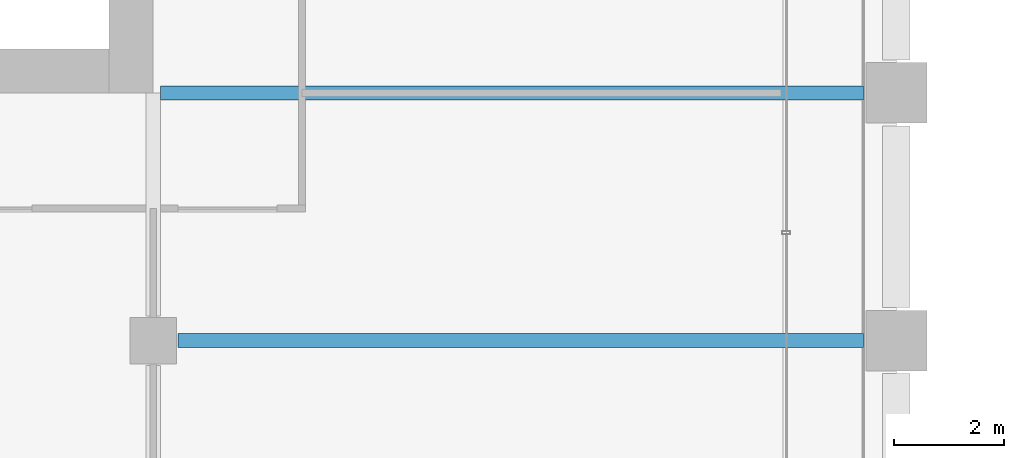
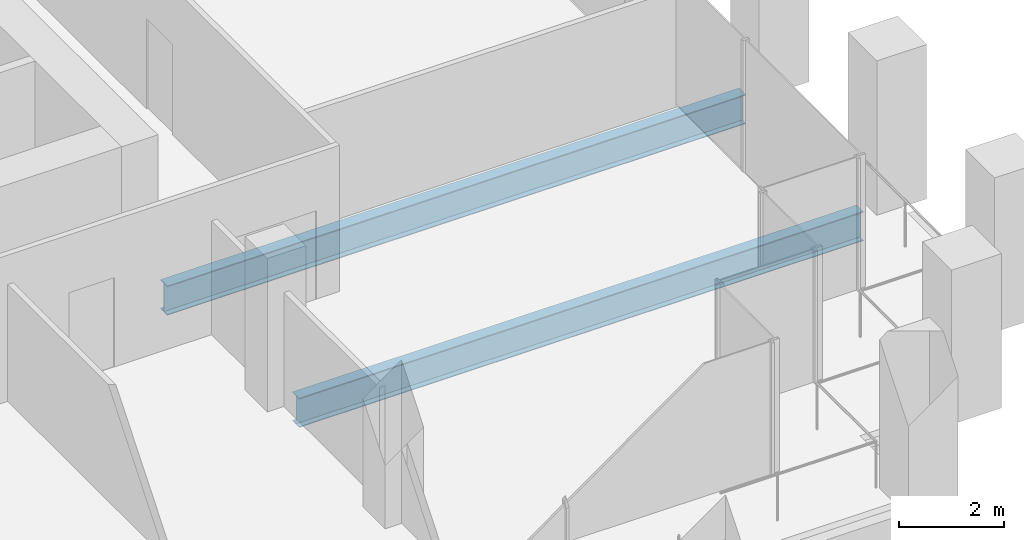
# One storey, part 17 of 55: 2 beams.
"""IFC4 building model written with IfcOpenShell, lengths in metres."""

from ifc_helpers import new_model, si_unit, direction, frame, origin, origin_2d, place, context, subcontext, project, spatial, i_section, extrude, material, material_profile, profile_set, type_object, element, save


model = new_model("IFC4")

# Units and contexts
model_context = context("Model", 3, precision=1e-05, world=origin(), true_north=direction((0.0, 1.0)))
body_context = subcontext(model_context, "Body", "Model", "MODEL_VIEW")
ifc_project = project(units=[si_unit("LENGTHUNIT", "METRE"), si_unit("AREAUNIT", "SQUARE_METRE"), si_unit("VOLUMEUNIT", "CUBIC_METRE"), si_unit("PLANEANGLEUNIT", "RADIAN"), si_unit("MASSUNIT", "GRAM", prefix="KILO")], contexts=[model_context])

# Site, building, storey
site_placement = place(None, origin())
site = spatial("IfcSite", under=ifc_project, at=site_placement, CompositionType="ELEMENT")
building_placement = place(site_placement, origin())
building = spatial("IfcBuilding", under=site, at=building_placement, Name="Altepetl Exchange Towers", CompositionType="ELEMENT")
storey_placement = place(building_placement, frame((0.0, 0.0, 47.39990234375)))
storey = spatial("IfcBuildingStorey", under=building, at=storey_placement, Name="L10", CompositionType="ELEMENT", Elevation=47.39990234375)

# Beams
ifc_material = material(Name="Steel S355", Category="steel")
ifc_material_profile = material_profile(ifc_material, i_section(OverallWidth=0.25390625, OverallDepth=0.68408203125, WebThickness=0.012451171875, FlangeThickness=0.018798828125, at=origin_2d()), Name="W27X94")
ifc_profile_set = profile_set([ifc_material_profile], Name="Steel S355")
beam_type = type_object("IfcBeamType", Name="Floor beam W27X94", PredefinedType="BEAM", material=ifc_profile_set)
beam_1_placement = place(storey_placement, frame((58.949951171875, 36.0, -0.491943359375), z_axis=(1.0, 0.0, 0.0), x_axis=(0.0, 1.0, 0.0)))
element("IfcBeam", 1, at=beam_1_placement, inside=storey, type_object=beam_type, Name="bm:A:L10:007", PredefinedType="BEAM", context=body_context, shape_type="SweptSolid", body=[
    extrude(i_section(OverallWidth=0.25390625, OverallDepth=0.68408203125, WebThickness=0.012451171875, FlangeThickness=0.018798828125, at=origin_2d()), origin(), (0.0, 0.0, 1.0), 12.449951171875),
])
beam_2_placement = place(storey_placement, frame((58.634033203125, 40.5, -0.491943359375), z_axis=(1.0, 0.0, 0.0), x_axis=(0.0, 1.0, 0.0)))
element("IfcBeam", 2, at=beam_2_placement, inside=storey, type_object=beam_type, Name="bm:A:L10:008", PredefinedType="BEAM", context=body_context, shape_type="SweptSolid", body=[
    extrude(i_section(OverallWidth=0.25390625, OverallDepth=0.68408203125, WebThickness=0.012451171875, FlangeThickness=0.018798828125, at=origin_2d()), origin(), (0.0, 0.0, 1.0), 12.765869140625),
])

save(model, "model.ifc")
